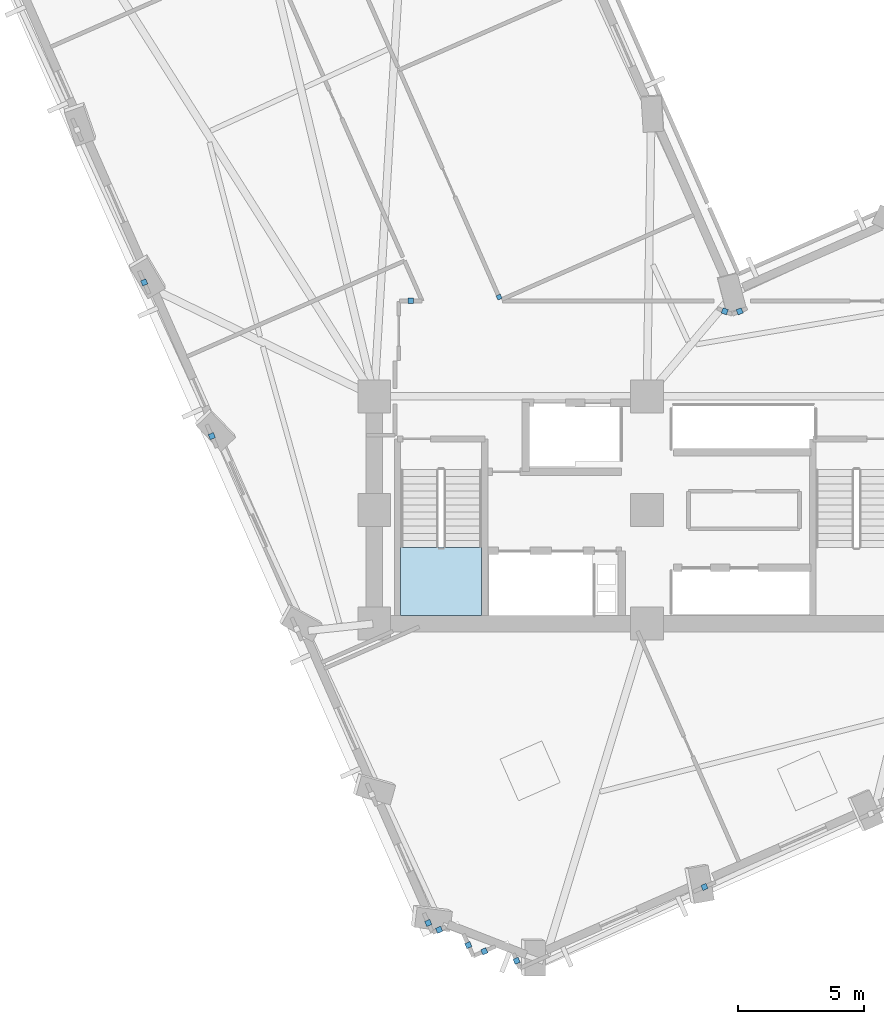
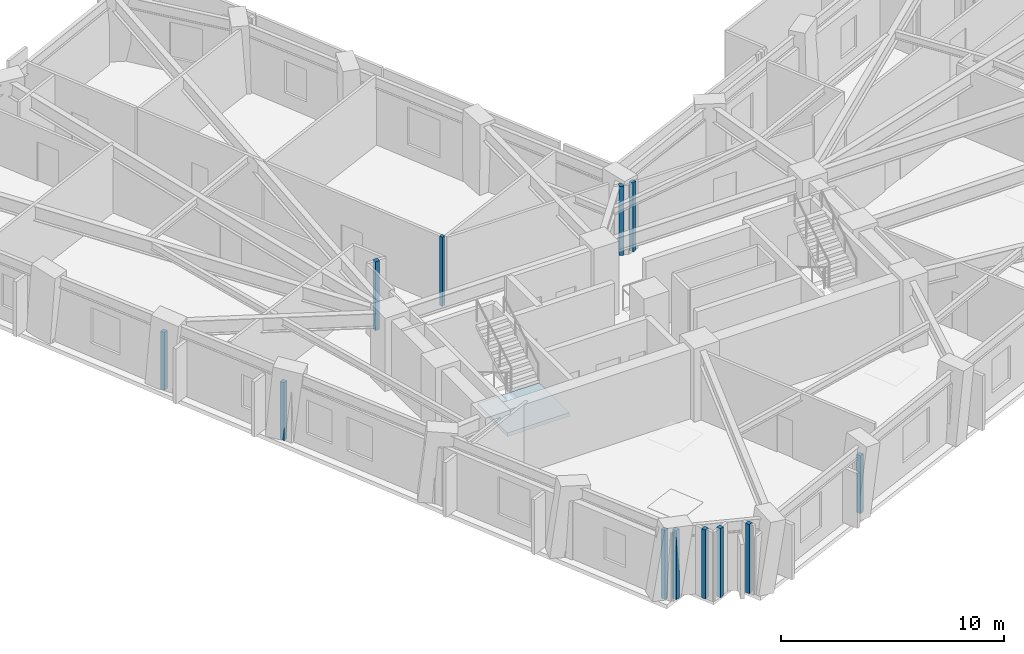
# One storey, part 3 of 15: 12 plates, 1 slab, 1 element without a shape of its own.
"""IFC4 building model written with IfcOpenShell, lengths in metres."""

from ifc_helpers import new_model, si_unit, direction, frame, origin, origin_2d, place, context, subcontext, project, spatial, polyline, rectangle, outline, extrude, material, layer, layer_set, type_object, element, aggregate, save


model = new_model("IFC4")

# Units and contexts
model_context = context("Model", 3, precision=1e-05, world=origin(), true_north=direction((0.0, 1.0)))
body_context = subcontext(model_context, "Body", "Model", "MODEL_VIEW")
ifc_project = project(units=[si_unit("LENGTHUNIT", "METRE"), si_unit("AREAUNIT", "SQUARE_METRE"), si_unit("VOLUMEUNIT", "CUBIC_METRE"), si_unit("PLANEANGLEUNIT", "RADIAN"), si_unit("MASSUNIT", "GRAM", prefix="KILO")], contexts=[model_context])

# Site, building, storey
site_placement = place(None, origin())
site = spatial("IfcSite", under=ifc_project, at=site_placement, CompositionType="ELEMENT")
building_placement = place(site_placement, origin())
building = spatial("IfcBuilding", under=site, at=building_placement, Name="Gaonmaruhae Medical Tower", CompositionType="ELEMENT")
storey_placement = place(building_placement, frame((0.0, 0.0, 124.39990234375)))
storey = spatial("IfcBuildingStorey", under=building, at=storey_placement, Name="L29", CompositionType="ELEMENT", Elevation=124.39990234375)

# Plates
ifc_material_1 = material(Name="Anodised aluminium 6063-T6", Category="aluminium")
ifc_layer_1 = layer(ifc_material_1, 0.011962890625)
ifc_layer_set_1 = layer_set([ifc_layer_1], Name="Anodised aluminium 6063-T6")
plate_type = type_object("IfcPlateType", Name="PP-01 Interior Partition Corner Stiffener Plate", PredefinedType="SHEET", material=ifc_layer_set_1)
plate_1_placement = place(storey_placement, frame((18.9462890625, 20.73388671875, 0.0), z_axis=(0.0, 0.0, 1.0), x_axis=(-0.402650836457, 0.915353649635, 0.0)))
element("IfcPlate", 1, at=plate_1_placement, inside=storey, type_object=plate_type, Name="L29 Partition End Jamb Post Plate PLT-L29-ENDP-PW079-0", PredefinedType="SHEET", context=body_context, shape_type="SweptSolid", body=[
    extrude(rectangle(XDim=0.179931640625, YDim=0.179931640625, at=origin_2d()), origin(), (0.0, 0.0, 1.0), 3.780029296875),
])
for number, where, z_axis, x_axis, name in (
    (2, (17.72998046875, -4.929931640625, 0.0), (0.0, 0.0, 1.0), (-0.402459116407, 0.915437960553, 0.0), "L29 Partition Corner Stiffener Plate PLT-L29-JGP-PW005"),
    (3, (16.572998046875, -4.323974609375, 0.0), (0.0, 0.0, 1.0), (-0.915107513467, -0.403209919021, 0.0), "L29 Partition Corner Stiffener Plate PLT-L29-JGP-PW006"),
    (4, (16.14208984375, -4.052978515625, 0.0), (0.0, 0.0, 1.0), (-0.40305019649, 0.915177872935, 0.0), "L29 Partition Corner Stiffener Plate PLT-L29-JGP-PW007"),
):
    element("IfcPlate", number, at=place(storey_placement, frame(where, z_axis=z_axis, x_axis=x_axis)), inside=storey, type_object=plate_type, Name=name, PredefinedType="SHEET", context=body_context, shape_type="SweptSolid", body=[
        extrude(rectangle(XDim=0.219970703125, YDim=0.219970703125, at=origin_2d()), origin(), (0.0, 0.0, 1.0), 3.780029296875),
    ])
plate_2_placement = place(storey_placement, frame((27.08056640625, -2.62841796875, 0.0), z_axis=(0.0, 0.0, 1.0), x_axis=(-0.915409861375, -0.402523025052, 0.0)))
element("IfcPlate", 5, at=plate_2_placement, inside=storey, type_object=plate_type, Name="L29 Partition Corner Stiffener Plate PLT-L29-JGP-PW011", PredefinedType="SHEET", context=body_context, shape_type="SweptSolid", body=[
    extrude(rectangle(XDim=0.219970703125, YDim=0.219970703125, at=origin_2d()), origin(), (0.0, 0.0, 1.0), 3.1650390625),
])
for number, where, z_axis, x_axis, name in (
    (6, (19.642578125, -5.552490234375, 0.0), (0.0, 0.0, 1.0), (-0.40221944152, 0.91554329273, 0.0), "L29 Partition Corner Stiffener Plate PLT-L29-JGP-PW013"),
    (7, (18.362060546875, -5.176025390625, 0.0), (0.0, 0.0, 1.0), (-0.915437960553, -0.402459116407, 0.0), "L29 Partition Corner Stiffener Plate PLT-L29-JGP-PW014"),
):
    element("IfcPlate", number, at=place(storey_placement, frame(where, z_axis=z_axis, x_axis=x_axis)), inside=storey, type_object=plate_type, Name=name, PredefinedType="SHEET", context=body_context, shape_type="SweptSolid", body=[
        extrude(rectangle(XDim=0.219970703125, YDim=0.219970703125, at=origin_2d()), origin(), (0.0, 0.0, 1.0), 3.780029296875),
    ])
plate_3_placement = place(storey_placement, frame((7.570556640625, 15.22802734375, 0.0), z_axis=(0.0, 0.0, 1.0), x_axis=(-0.402299336213, 0.915508188976, 0.0)))
element("IfcPlate", 8, at=plate_3_placement, inside=storey, type_object=plate_type, Name="L29 Partition Corner Stiffener Plate PLT-L29-JGP-PW040", PredefinedType="SHEET", context=body_context, shape_type="SweptSolid", body=[
    extrude(rectangle(XDim=0.219970703125, YDim=0.219970703125, at=origin_2d()), origin(), (0.0, 0.0, 1.0), 3.1650390625),
])
plate_4_placement = place(storey_placement, frame((15.448974609375, 20.580078125, 0.0), z_axis=(0.0, 0.0, 1.0), x_axis=(-1.0, 0.0, 0.0)))
element("IfcPlate", 9, at=plate_4_placement, inside=storey, type_object=plate_type, Name="L29 Partition Corner Stiffener Plate PLT-L29-JGP-PW043", PredefinedType="SHEET", context=body_context, shape_type="SweptSolid", body=[
    extrude(rectangle(XDim=0.219970703125, YDim=0.219970703125, at=origin_2d()), origin(), (0.0, 0.0, 1.0), 3.780029296875),
])
plate_5_placement = place(storey_placement, frame((4.892578125, 21.31494140625, 0.0), z_axis=(0.0, 0.0, 1.0), x_axis=(-0.401883850368, 0.915690652357, 0.0)))
element("IfcPlate", 10, at=plate_5_placement, inside=storey, type_object=plate_type, Name="L29 Partition Corner Stiffener Plate PLT-L29-JGP-PW046", PredefinedType="SHEET", context=body_context, shape_type="SweptSolid", body=[
    extrude(rectangle(XDim=0.219970703125, YDim=0.219970703125, at=origin_2d()), origin(), (0.0, 0.0, 1.0), 3.1650390625),
])
for number, where, z_axis, x_axis, name in (
    (11, (28.4755859375, 20.169921875, 0.0), (0.0, 0.0, 1.0), (-0.923866173777, -0.382715681611, 0.0), "L29 Partition Corner Stiffener Plate PLT-L29-JGP-PW056"),
    (12, (27.885986328125, 20.169921875, 0.0), (0.0, 0.0, 1.0), (-0.924093119157, 0.382167381036, 0.0), "L29 Partition Corner Stiffener Plate PLT-L29-JGP-PW057"),
):
    element("IfcPlate", number, at=place(storey_placement, frame(where, z_axis=z_axis, x_axis=x_axis)), inside=storey, type_object=plate_type, Name=name, PredefinedType="SHEET", context=body_context, shape_type="SweptSolid", body=[
        extrude(rectangle(XDim=0.219970703125, YDim=0.219970703125, at=origin_2d()), origin(), (0.0, 0.0, 1.0), 3.780029296875),
    ])

# Stair, slab
ifc_material_2 = material(Name="Concrete C40/50", Category="concrete")
stair_type = type_object("IfcStairType", Name="ST-T1 Primary Core Escape Dogleg Stair", PredefinedType="TWO_QUARTER_TURN_STAIR", material=ifc_material_2)
stair_placement = place(storey_placement, origin())
stair = element("IfcStair", 13, at=stair_placement, inside=storey, type_object=stair_type, Name="L29 Protected Escape Stair ST-01", PredefinedType="TWO_QUARTER_TURN_STAIR")
ifc_layer_2 = layer(ifc_material_2, 0.199951171875)
ifc_layer_set_2 = layer_set([ifc_layer_2], Name="Concrete C40/50")
slab_type = type_object("IfcSlabType", Name="SL-200 Stair & Ramp Intermediate Concrete Landing", PredefinedType="LANDING", material=ifc_layer_set_2)
slab_placement = place(storey_placement, frame((0.0, 0.0, 1.800048828125)))
slab = element("IfcSlab", 14, at=slab_placement, type_object=slab_type, Name="ST-01 landing 1", PredefinedType="LANDING", context=body_context, shape_type="SweptSolid", body=[
    extrude(outline(polyline([(15.050048828125, 10.820068359375), (15.050048828125, 8.12890625), (18.25, 8.12890625), (18.25, 10.820068359375), (15.050048828125, 10.820068359375)])), origin(), (0.0, 0.0, 1.0), 0.199951171875),
])
aggregate(stair, [slab])

save(model, "model.ifc")
